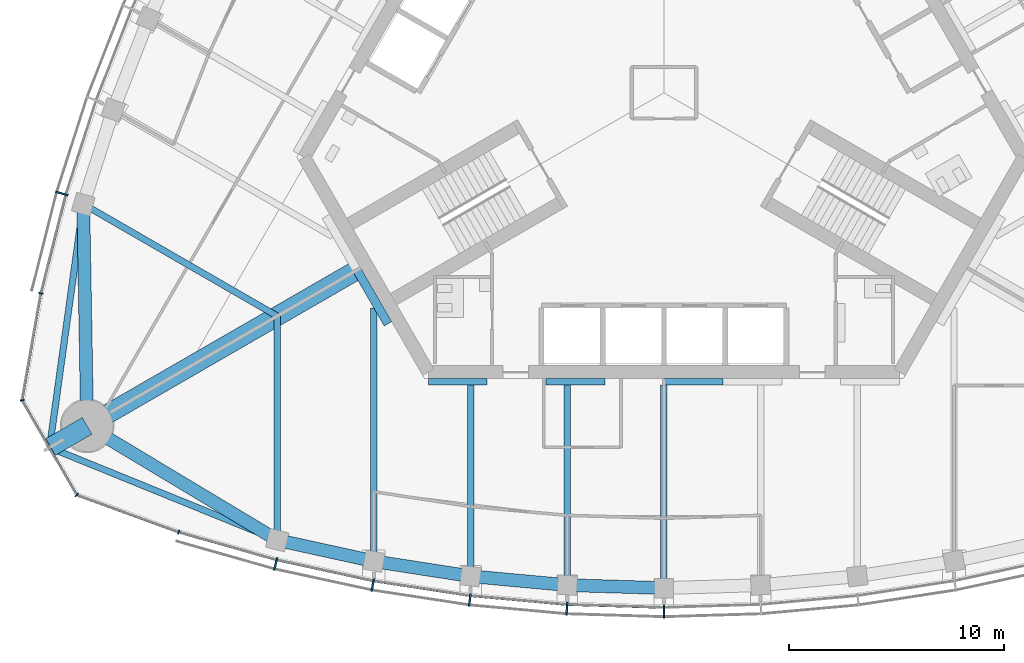
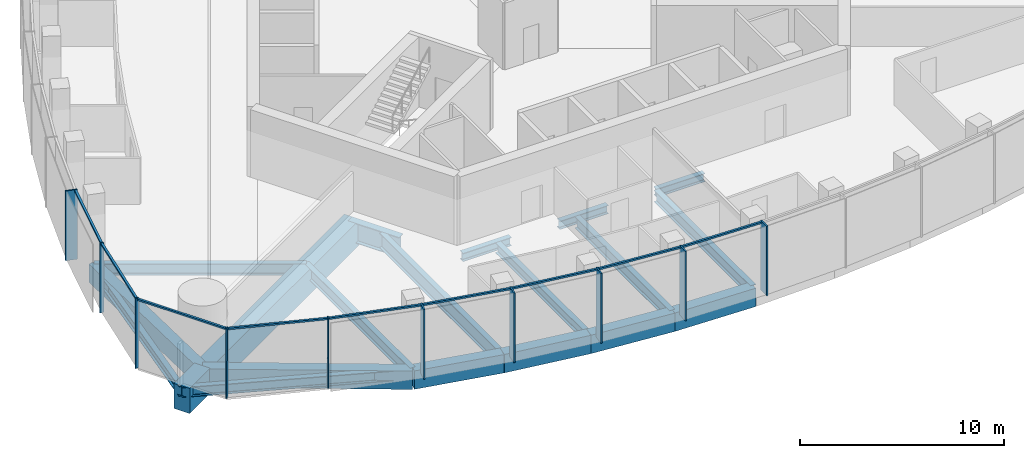
# One storey, part 2 of 16: 20 beams, 19 members, 3 elements without a shape of their own.
"""IFC4 building model written with IfcOpenShell, lengths in metres."""

from ifc_helpers import new_model, si_unit, direction, frame, origin, origin_2d, place, context, subcontext, project, spatial, rectangle, i_section, extrude, material, material_profile, profile_set, type_object, element, aggregate, save


model = new_model("IFC4")

# Units and contexts
model_context = context("Model", 3, precision=1e-05, world=origin(), true_north=direction((0.0, 1.0)))
body_context = subcontext(model_context, "Body", "Model", "MODEL_VIEW")
ifc_project = project(units=[si_unit("LENGTHUNIT", "METRE"), si_unit("AREAUNIT", "SQUARE_METRE"), si_unit("VOLUMEUNIT", "CUBIC_METRE"), si_unit("PLANEANGLEUNIT", "RADIAN"), si_unit("MASSUNIT", "GRAM", prefix="KILO")], contexts=[model_context])

# Site, building, storey
site_placement = place(None, origin())
site = spatial("IfcSite", under=ifc_project, at=site_placement, CompositionType="ELEMENT")
building_placement = place(site_placement, origin())
building = spatial("IfcBuilding", under=site, at=building_placement, Name="Trefoil Bronze Tower", CompositionType="ELEMENT")
storey_placement = place(building_placement, frame((0.0, 0.0, 309.89990234375)))
storey = spatial("IfcBuildingStorey", under=building, at=storey_placement, Name="L71", CompositionType="ELEMENT", Elevation=309.89990234375)

# Curtain wall, members
ifc_material_1 = material(Name="Tinted solar-control glass", Category="glass")
curtain_wall_type_1 = type_object("IfcCurtainWallType", Name="Bronze office curtain wall", PredefinedType="USERDEFINED", material=ifc_material_1)
curtain_wall_1_placement = place(storey_placement, origin())
curtain_wall_1 = element("IfcCurtainWall", 1, at=curtain_wall_1_placement, inside=storey, type_object=curtain_wall_type_1, Name="CW-A L71 F1", ObjectType="CURTAIN WALL", PredefinedType="USERDEFINED")
ifc_material_2 = material(Name="Bronze-finish aluminium", Category="aluminium")
ifc_material_profile_1 = material_profile(ifc_material_2, rectangle(XDim=0.60009765625, YDim=0.080078125, at=origin_2d()), Name="CW-A mullion")
ifc_profile_set_1 = profile_set([ifc_material_profile_1], Name="Bronze-finish aluminium")
member_type_1 = type_object("IfcMemberType", Name="Bronze office curtain wall mullion", PredefinedType="MULLION", material=ifc_profile_set_1)
member_1_placement = place(storey_placement, frame((-18.07275390625, -21.931884765625, 0.0), z_axis=(0.0, 0.0, 1.0), x_axis=(0.242394494031, 0.97017777199, 0.0)))
member_1 = element("IfcMember", 2, at=member_1_placement, type_object=member_type_1, Name="CW-A L71 F1 mullion 2", PredefinedType="MULLION", context=body_context, shape_type="SweptSolid", body=[
    extrude(rectangle(XDim=0.60009765625, YDim=0.080078125, at=origin_2d()), origin(), (0.0, 0.0, 1.0), 4.18017578125),
])
member_2_placement = place(storey_placement, frame((-13.554443359375, -22.911376953125, 0.0), z_axis=(0.0, 0.0, 1.0), x_axis=(0.181667218242, 0.983360067227, 0.0)))
member_2 = element("IfcMember", 3, at=member_2_placement, type_object=member_type_1, Name="CW-A L71 F1 mullion 3", PredefinedType="MULLION", context=body_context, shape_type="SweptSolid", body=[
    extrude(rectangle(XDim=0.60009765625, YDim=0.080078125, at=origin_2d()), origin(), (0.0, 0.0, 1.0), 4.18017578125),
])
member_3_placement = place(storey_placement, frame((-9.036376953125, -23.602783203125, 0.0), z_axis=(0.0, 0.0, 1.0), x_axis=(0.121109330868, 0.992639174109, 0.0)))
member_3 = element("IfcMember", 4, at=member_3_placement, type_object=member_type_1, Name="CW-A L71 F1 mullion 4", PredefinedType="MULLION", context=body_context, shape_type="SweptSolid", body=[
    extrude(rectangle(XDim=0.60009765625, YDim=0.080078125, at=origin_2d()), origin(), (0.0, 0.0, 1.0), 4.18017578125),
])
member_4_placement = place(storey_placement, frame((-4.51806640625, -24.014892578125, 0.0), z_axis=(0.0, 0.0, 1.0), x_axis=(0.060554040199, 0.998164920349, 0.0)))
member_4 = element("IfcMember", 5, at=member_4_placement, type_object=member_type_1, Name="CW-A L71 F1 mullion 5", PredefinedType="MULLION", context=body_context, shape_type="SweptSolid", body=[
    extrude(rectangle(XDim=0.60009765625, YDim=0.080078125, at=origin_2d()), origin(), (0.0, 0.0, 1.0), 4.18017578125),
])
member_5_placement = place(storey_placement, frame((0.0, -24.151611328125, 0.0), z_axis=(0.0, 0.0, 1.0), x_axis=(0.0, 1.0, 0.0)))
member_5 = element("IfcMember", 6, at=member_5_placement, type_object=member_type_1, Name="CW-A L71 F1 mullion 6", PredefinedType="MULLION", context=body_context, shape_type="SweptSolid", body=[
    extrude(rectangle(XDim=0.60009765625, YDim=0.080078125, at=origin_2d()), origin(), (0.0, 0.0, 1.0), 4.18017578125),
])

# Curtain wall, member
curtain_wall_2_placement = place(storey_placement, origin())
curtain_wall_2 = element("IfcCurtainWall", 7, at=curtain_wall_2_placement, inside=storey, type_object=curtain_wall_type_1, Name="CW-A L71 F3", ObjectType="CURTAIN WALL", PredefinedType="USERDEFINED")
member_6_placement = place(storey_placement, frame((-28.02978515625, -4.685546875, 0.0), z_axis=(0.0, 0.0, 1.0), x_axis=(0.961395843746, -0.275169096426, 0.0)))
member_6 = element("IfcMember", 8, at=member_6_placement, type_object=member_type_1, Name="CW-A L71 F3 mullion 10", PredefinedType="MULLION", context=body_context, shape_type="SweptSolid", body=[
    extrude(rectangle(XDim=0.60009765625, YDim=0.080078125, at=origin_2d()), origin(), (0.0, 0.0, 1.0), 4.18017578125),
])

# Member
ifc_material_3 = material(Name="Bronze-finish aluminium", Category="aluminium")
ifc_material_profile_2 = material_profile(ifc_material_3, rectangle(XDim=0.1201171875, YDim=0.10009765625, at=origin_2d()), Name="CW-A transom")
ifc_profile_set_2 = profile_set([ifc_material_profile_2], Name="Bronze-finish aluminium")
member_type_2 = type_object("IfcMemberType", Name="Bronze office curtain wall transom", PredefinedType="USERDEFINED", material=ifc_profile_set_2)
member_7_placement = place(storey_placement, frame((-22.537109375, -20.458740234375, 4.130126953125), z_axis=(0.962102611578, -0.272687668944, 0.0), x_axis=(0.272687668944, 0.962102611578, 0.0)))
member_7 = element("IfcMember", 9, at=member_7_placement, type_object=member_type_2, Name="CW-A L71 F1 transom 1", ObjectType="TRANSOM", PredefinedType="USERDEFINED", context=body_context, shape_type="SweptSolid", body=[
    extrude(rectangle(XDim=0.1201171875, YDim=0.10009765625, at=origin_2d()), origin(), (0.0, 0.0, 1.0), 4.6474609375),
])

member_8_placement = place(storey_placement, frame((-17.982177734375, -21.7470703125, 4.130126953125), z_axis=(0.977303780028, -0.211842681117, 0.0), x_axis=(0.211842681117, 0.977303780028, 0.0)))
member_8 = element("IfcMember", 10, at=member_8_placement, type_object=member_type_2, Name="CW-A L71 F1 transom 2", ObjectType="TRANSOM", PredefinedType="USERDEFINED", context=body_context, shape_type="SweptSolid", body=[
    extrude(rectangle(XDim=0.1201171875, YDim=0.10009765625, at=origin_2d()), origin(), (0.0, 0.0, 1.0), 4.524658203125),
])

member_9_placement = place(storey_placement, frame((-13.4755859375, -22.72119140625, 4.130126953125), z_axis=(0.988485016014, -0.151318779787, 0.0), x_axis=(0.151318779787, 0.988485016014, 0.0)))
member_9 = element("IfcMember", 11, at=member_9_placement, type_object=member_type_2, Name="CW-A L71 F1 transom 3", ObjectType="TRANSOM", PredefinedType="USERDEFINED", context=body_context, shape_type="SweptSolid", body=[
    extrude(rectangle(XDim=0.1201171875, YDim=0.10009765625, at=origin_2d()), origin(), (0.0, 0.0, 1.0), 4.472412109375),
])

member_10_placement = place(storey_placement, frame((-8.96923828125, -23.408203125, 4.130126953125), z_axis=(0.995868373079, -0.090808499059, 0.0), x_axis=(0.090808499059, 0.995868373079, 0.0)))
member_10 = element("IfcMember", 12, at=member_10_placement, type_object=member_type_2, Name="CW-A L71 F1 transom 4", ObjectType="TRANSOM", PredefinedType="USERDEFINED", context=body_context, shape_type="SweptSolid", body=[
    extrude(rectangle(XDim=0.1201171875, YDim=0.10009765625, at=origin_2d()), origin(), (0.0, 0.0, 1.0), 4.438720703125),
])

member_11_placement = place(storey_placement, frame((-4.463134765625, -23.81640625, 4.130126953125), z_axis=(0.99954057115, -0.030309183848, 0.0), x_axis=(0.030309183848, 0.99954057115, 0.0)))
member_11 = element("IfcMember", 13, at=member_11_placement, type_object=member_type_2, Name="CW-A L71 F1 transom 5", ObjectType="TRANSOM", PredefinedType="USERDEFINED", context=body_context, shape_type="SweptSolid", body=[
    extrude(rectangle(XDim=0.1201171875, YDim=0.10009765625, at=origin_2d()), origin(), (0.0, 0.0, 1.0), 4.422119140625),
])

aggregate(curtain_wall_1, [member_1, member_2, member_3, member_4, member_5, member_7, member_8, member_9, member_10, member_11])

member_12_placement = place(storey_placement, frame((-27.84814453125, -4.782470703125, 4.130126953125), z_axis=(-0.244908148095, -0.969546285123, 0.0), x_axis=(0.969546285123, -0.244908148095, 0.0)))
member_12 = element("IfcMember", 14, at=member_12_placement, type_object=member_type_2, Name="CW-A L71 F3 transom 10", ObjectType="TRANSOM", PredefinedType="USERDEFINED", context=body_context, shape_type="SweptSolid", body=[
    extrude(rectangle(XDim=0.1201171875, YDim=0.10009765625, at=origin_2d()), origin(), (0.0, 0.0, 1.0), 4.6474609375),
])

aggregate(curtain_wall_2, [member_6, member_12])

# Curtain wall, members
ifc_material_4 = material(Name="Tinted solar-control glass", Category="glass")
curtain_wall_type_2 = type_object("IfcCurtainWallType", Name="Bronze rounded corner curtain wall", PredefinedType="USERDEFINED", material=ifc_material_4)
curtain_wall_3_placement = place(storey_placement, origin())
curtain_wall_3 = element("IfcCurtainWall", 15, at=curtain_wall_3_placement, inside=storey, type_object=curtain_wall_type_2, Name="CW-B L71 K3", ObjectType="CURTAIN WALL", PredefinedType="USERDEFINED")
ifc_material_5 = material(Name="Bronze-finish aluminium", Category="aluminium")
ifc_material_profile_3 = material_profile(ifc_material_5, rectangle(XDim=0.199951171875, YDim=0.06005859375, at=origin_2d()), Name="CW-B mullion")
ifc_profile_set_3 = profile_set([ifc_material_profile_3], Name="Bronze-finish aluminium")
member_type_3 = type_object("IfcMemberType", Name="Bronze rounded corner curtain wall mullion", PredefinedType="MULLION", material=ifc_profile_set_3)
member_13_placement = place(storey_placement, frame((-28.99755859375, -9.334228515625, 0.0), z_axis=(0.0, 0.0, 1.0), x_axis=(0.984807753012, -0.173648177667, 0.0)))
member_13 = element("IfcMember", 16, at=member_13_placement, type_object=member_type_3, Name="CW-B L71 K3 mullion 1", PredefinedType="MULLION", context=body_context, shape_type="SweptSolid", body=[
    extrude(rectangle(XDim=0.199951171875, YDim=0.06005859375, at=origin_2d()), origin(), (0.0, 0.0, 1.0), 4.18017578125),
])
member_14_placement = place(storey_placement, frame((-29.86865234375, -14.30908203125, 0.0), z_axis=(0.0, 0.0, 1.0), x_axis=(0.984807753012, 0.173648177667, 0.0)))
member_14 = element("IfcMember", 17, at=member_14_placement, type_object=member_type_3, Name="CW-B L71 K3 mullion 2", PredefinedType="MULLION", context=body_context, shape_type="SweptSolid", body=[
    extrude(rectangle(XDim=0.199951171875, YDim=0.06005859375, at=origin_2d()), origin(), (0.0, 0.0, 1.0), 4.18017578125),
])
member_15_placement = place(storey_placement, frame((-27.326416015625, -18.712646484375, 0.0), z_axis=(0.0, 0.0, 1.0), x_axis=(0.642787609687, 0.766044443119, 0.0)))
member_15 = element("IfcMember", 18, at=member_15_placement, type_object=member_type_3, Name="CW-B L71 K3 mullion 3", PredefinedType="MULLION", context=body_context, shape_type="SweptSolid", body=[
    extrude(rectangle(XDim=0.199951171875, YDim=0.06005859375, at=origin_2d()), origin(), (0.0, 0.0, 1.0), 4.18017578125),
])
member_16_placement = place(storey_placement, frame((-22.58251953125, -20.445556640625, 0.0), z_axis=(0.0, 0.0, 1.0), x_axis=(0.342020143326, 0.939692620786, 0.0)))
member_16 = element("IfcMember", 19, at=member_16_placement, type_object=member_type_3, Name="CW-B L71 K3 mullion 4", PredefinedType="MULLION", context=body_context, shape_type="SweptSolid", body=[
    extrude(rectangle(XDim=0.199951171875, YDim=0.06005859375, at=origin_2d()), origin(), (0.0, 0.0, 1.0), 4.18017578125),
])
ifc_material_6 = material(Name="Bronze-finish aluminium", Category="aluminium")
ifc_material_profile_4 = material_profile(ifc_material_6, rectangle(XDim=0.1201171875, YDim=0.10009765625, at=origin_2d()), Name="CW-B transom")
ifc_profile_set_4 = profile_set([ifc_material_profile_4], Name="Bronze-finish aluminium")
member_type_4 = type_object("IfcMemberType", Name="Bronze rounded corner curtain wall transom", PredefinedType="USERDEFINED", material=ifc_profile_set_4)
member_17_placement = place(storey_placement, frame((-29.0029296875, -9.36376953125, 4.130126953125), z_axis=(-0.173633591509, -0.984810324834, 0.0), x_axis=(0.984810324834, -0.173633591509, 0.0)))
member_17 = element("IfcMember", 20, at=member_17_placement, type_object=member_type_4, Name="CW-B L71 K3 transom 1", ObjectType="TRANSOM", PredefinedType="USERDEFINED", context=body_context, shape_type="SweptSolid", body=[
    extrude(rectangle(XDim=0.1201171875, YDim=0.10009765625, at=origin_2d()), origin(), (0.0, 0.0, 1.0), 4.956298828125),
])
member_18_placement = place(storey_placement, frame((-29.841796875, -14.36767578125, 4.130126953125), z_axis=(0.499985403706, -0.866033830794, 0.0), x_axis=(0.866033830794, 0.499985403706, 0.0)))
member_18 = element("IfcMember", 21, at=member_18_placement, type_object=member_type_4, Name="CW-B L71 K3 transom 2", ObjectType="TRANSOM", PredefinedType="USERDEFINED", context=body_context, shape_type="SweptSolid", body=[
    extrude(rectangle(XDim=0.1201171875, YDim=0.10009765625, at=origin_2d()), origin(), (0.0, 0.0, 1.0), 4.956298828125),
])
member_19_placement = place(storey_placement, frame((-27.26806640625, -18.740234375, 4.130126953125), z_axis=(0.93969990549, -0.342000128103, 0.0), x_axis=(0.342000128103, 0.93969990549, 0.0)))
member_19 = element("IfcMember", 22, at=member_19_placement, type_object=member_type_4, Name="CW-B L71 K3 transom 3", ObjectType="TRANSOM", PredefinedType="USERDEFINED", context=body_context, shape_type="SweptSolid", body=[
    extrude(rectangle(XDim=0.1201171875, YDim=0.10009765625, at=origin_2d()), origin(), (0.0, 0.0, 1.0), 4.956298828125),
])
aggregate(curtain_wall_3, [member_13, member_14, member_15, member_16, member_17, member_18, member_19])

# Beams
ifc_material_7 = material(Name="Steel C355", Category="steel")
ifc_material_profile_5 = material_profile(ifc_material_7, i_section(OverallWidth=0.300048828125, OverallDepth=0.5, WebThickness=0.014404296875, FlangeThickness=0.028076171875, FilletRadius=0.027099609375, at=origin_2d()), Name="HEB 500")
ifc_profile_set_5 = profile_set([ifc_material_profile_5], Name="Steel C355")
beam_type_1 = type_object("IfcBeamType", Name="Core seat beam HEB 500", PredefinedType="BEAM", material=ifc_profile_set_5)
for number, where, z_axis, x_axis, name in (
    (23, (-10.9697265625, -13.449951171875, -0.449951171875), (1.0, 0.0, 0.0), (0.0, 1.0, 0.0), "Core seat beam F1/-2 L71"),
    (24, (-5.48486328125, -13.449951171875, -0.449951171875), (1.0, 0.0, 0.0), (0.0, 1.0, 0.0), "Core seat beam F1/-1 L71"),
    (25, (0.0, -13.449951171875, -0.449951171875), (1.0, 0.0, 0.0), (0.0, 1.0, 0.0), "Core seat beam F1/+0 L71"),
):
    element("IfcBeam", number, at=place(storey_placement, frame(where, z_axis=z_axis, x_axis=x_axis)), inside=storey, type_object=beam_type_1, Name=name, PredefinedType="BEAM", context=body_context, shape_type="SweptSolid", body=[
        extrude(i_section(OverallWidth=0.300048828125, OverallDepth=0.5, WebThickness=0.014404296875, FlangeThickness=0.028076171875, FilletRadius=0.027099609375, at=origin_2d()), origin(), (0.0, 0.0, 1.0), 2.742431640625),
    ])
ifc_material_8 = material(Name="Steel C355", Category="steel")
ifc_material_profile_6 = material_profile(ifc_material_8, i_section(OverallWidth=0.39990234375, OverallDepth=1.199951171875, WebThickness=0.02001953125, FlangeThickness=0.0400390625, FilletRadius=0.010009765625, at=origin_2d()), Name="WPG 1200")
ifc_profile_set_6 = profile_set([ifc_material_profile_6], Name="Steel C355")
beam_type_2 = type_object("IfcBeamType", Name="Core seat beam WPG 1200", PredefinedType="BEAM", material=ifc_profile_set_6)
beam_1_placement = place(storey_placement, frame((-14.289306640625, -8.25, -0.7998046875), z_axis=(0.499995765644, -0.866027848477, 0.0), x_axis=(0.866027848477, 0.499995765644, 0.0)))
element("IfcBeam", 26, at=beam_1_placement, inside=storey, type_object=beam_type_2, Name="Core seat beam F1/-3 L71", PredefinedType="BEAM", context=body_context, shape_type="SweptSolid", body=[
    extrude(i_section(OverallWidth=0.39990234375, OverallDepth=1.199951171875, WebThickness=0.02001953125, FlangeThickness=0.0400390625, FilletRadius=0.010009765625, at=origin_2d()), origin(), (0.0, 0.0, 1.0), 2.88671875),
])
ifc_material_9 = material(Name="Concrete B80", Category="concrete")
ifc_material_profile_7 = material_profile(ifc_material_9, rectangle(XDim=0.89990234375, YDim=1.5, at=origin_2d()), Name="RC 900x1500")
ifc_profile_set_7 = profile_set([ifc_material_profile_7], Name="Concrete B80")
beam_type_3 = type_object("IfcBeamType", Name="Corner cantilever RC 900x1500", PredefinedType="BEAM", material=ifc_profile_set_7)
beam_2_placement = place(storey_placement, frame((-26.8466796875, -15.5, -0.949951171875), z_axis=(-0.866010470582, -0.500025864173, 0.0), x_axis=(0.500025864173, -0.866010470582, 0.0)))
element("IfcBeam", 27, at=beam_2_placement, inside=storey, type_object=beam_type_3, Name="Corner cantilever K3 L71", PredefinedType="BEAM", context=body_context, shape_type="SweptSolid", body=[
    extrude(rectangle(XDim=0.89990234375, YDim=1.5, at=origin_2d()), origin(), (0.0, 0.0, 1.0), 2.02001953125),
])
ifc_material_10 = material(Name="Steel C355", Category="steel")
ifc_material_profile_8 = material_profile(ifc_material_10, i_section(OverallWidth=0.300048828125, OverallDepth=0.60009765625, WebThickness=0.015380859375, FlangeThickness=0.030029296875, FilletRadius=0.027099609375, at=origin_2d()), Name="HEB 600")
ifc_profile_set_8 = profile_set([ifc_material_profile_8], Name="Steel C355")
beam_type_4 = type_object("IfcBeamType", Name="Corner edge beam HEB 600", PredefinedType="BEAM", material=ifc_profile_set_8)
beam_3_placement = place(storey_placement, frame((-18.0, -20.816162109375, -0.5), z_axis=(-0.926419351914, 0.376493272714, 0.0), x_axis=(-0.376493272714, -0.926419351914, 0.0)))
element("IfcBeam", 28, at=beam_3_placement, inside=storey, type_object=beam_type_4, Name="Corner edge beam F1B L71", PredefinedType="BEAM", context=body_context, shape_type="SweptSolid", body=[
    extrude(i_section(OverallWidth=0.300048828125, OverallDepth=0.60009765625, WebThickness=0.015380859375, FlangeThickness=0.030029296875, FilletRadius=0.027099609375, at=origin_2d()), origin(), (0.0, 0.0, 1.0), 11.4375),
])
beam_4_placement = place(storey_placement, frame((-27.02734375, -5.180419921875, -0.5), z_axis=(-0.137143714313, -0.990551160529, 0.0), x_axis=(0.990551160529, -0.137143714313, 0.0)))
element("IfcBeam", 29, at=beam_4_placement, inside=storey, type_object=beam_type_4, Name="Corner edge beam F3A L71", PredefinedType="BEAM", context=body_context, shape_type="SweptSolid", body=[
    extrude(i_section(OverallWidth=0.300048828125, OverallDepth=0.60009765625, WebThickness=0.015380859375, FlangeThickness=0.030029296875, FilletRadius=0.027099609375, at=origin_2d()), origin(), (0.0, 0.0, 1.0), 11.437744140625),
])
ifc_material_11 = material(Name="Concrete B80", Category="concrete")
ifc_material_profile_9 = material_profile(ifc_material_11, rectangle(XDim=0.89990234375, YDim=1.5, at=origin_2d()), Name="RC 900x1500")
ifc_profile_set_9 = profile_set([ifc_material_profile_9], Name="Concrete B80")
beam_type_5 = type_object("IfcBeamType", Name="Corner girder RC 900x1500", PredefinedType="BEAM", material=ifc_profile_set_9)
beam_5_placement = place(storey_placement, frame((-14.1162109375, -8.14990234375, -0.949951171875), z_axis=(-0.86602074674, -0.500008066151, 0.0), x_axis=(0.500008066151, -0.86602074674, 0.0)))
element("IfcBeam", 30, at=beam_5_placement, inside=storey, type_object=beam_type_5, Name="Corner girder K3 L71", PredefinedType="BEAM", context=body_context, shape_type="SweptSolid", body=[
    extrude(rectangle(XDim=0.89990234375, YDim=1.5, at=origin_2d()), origin(), (0.0, 0.0, 1.0), 14.699951171875),
])
ifc_material_12 = material(Name="Concrete B80", Category="concrete")
ifc_material_profile_10 = material_profile(ifc_material_12, rectangle(XDim=0.60009765625, YDim=1.10009765625, at=origin_2d()), Name="RC 600x1100")
ifc_profile_set_10 = profile_set([ifc_material_profile_10], Name="Concrete B80")
beam_type_6 = type_object("IfcBeamType", Name="End spandrel beam RC 600x1100", PredefinedType="SPANDREL", material=ifc_profile_set_10)
for number, where, z_axis, x_axis, name in (
    (31, (-26.8466796875, -15.5, -0.75), (0.857144173035, -0.515076563855, 0.0), (0.515076563855, 0.857144173035, 0.0), "Spandrel F1.1 L71"),
    (32, (-27.02734375, -5.180419921875, -0.75), (0.017504237714, -0.999846789094, 0.0), (0.999846789094, 0.017504237714, 0.0), "Spandrel F3.10 L71"),
):
    element("IfcBeam", number, at=place(storey_placement, frame(where, z_axis=z_axis, x_axis=x_axis)), inside=storey, type_object=beam_type_6, Name=name, PredefinedType="SPANDREL", context=body_context, shape_type="SweptSolid", body=[
        extrude(rectangle(XDim=0.60009765625, YDim=1.10009765625, at=origin_2d()), origin(), (0.0, 0.0, 1.0), 10.321044921875),
    ])
ifc_material_13 = material(Name="Steel C355", Category="steel")
ifc_material_profile_11 = material_profile(ifc_material_13, i_section(OverallWidth=0.300048828125, OverallDepth=0.60009765625, WebThickness=0.015380859375, FlangeThickness=0.030029296875, FilletRadius=0.027099609375, at=origin_2d()), Name="HEB 600")
ifc_profile_set_11 = profile_set([ifc_material_profile_11], Name="Steel C355")
beam_type_7 = type_object("IfcBeamType", Name="Floor beam HEB 600", PredefinedType="BEAM", material=ifc_profile_set_11)
beam_6_placement = place(storey_placement, frame((-9.0, -22.499267578125, -0.5), z_axis=(0.0, 1.0, 0.0), x_axis=(-1.0, 0.0, 0.0)))
element("IfcBeam", 33, at=beam_6_placement, inside=storey, type_object=beam_type_7, Name="Floor beam F1/-2 L71", PredefinedType="BEAM", context=body_context, shape_type="SweptSolid", body=[
    extrude(i_section(OverallWidth=0.300048828125, OverallDepth=0.60009765625, WebThickness=0.015380859375, FlangeThickness=0.030029296875, FilletRadius=0.027099609375, at=origin_2d()), origin(), (0.0, 0.0, 1.0), 8.899169921875),
])
ifc_material_14 = material(Name="Steel C355", Category="steel")
ifc_material_profile_12 = material_profile(ifc_material_14, i_section(OverallWidth=0.300048828125, OverallDepth=0.699951171875, WebThickness=0.01708984375, FlangeThickness=0.031982421875, FilletRadius=0.027099609375, at=origin_2d()), Name="HEB 700")
ifc_profile_set_12 = profile_set([ifc_material_profile_12], Name="Steel C355")
beam_type_8 = type_object("IfcBeamType", Name="Floor beam HEB 700", PredefinedType="BEAM", material=ifc_profile_set_12)
beam_7_placement = place(storey_placement, frame((-18.0, -20.816162109375, -0.5498046875), z_axis=(0.0, 1.0, 0.0), x_axis=(-1.0, 0.0, 0.0)))
element("IfcBeam", 34, at=beam_7_placement, inside=storey, type_object=beam_type_8, Name="Floor beam F1/-4 L71", PredefinedType="BEAM", context=body_context, shape_type="SweptSolid", body=[
    extrude(i_section(OverallWidth=0.300048828125, OverallDepth=0.699951171875, WebThickness=0.01708984375, FlangeThickness=0.031982421875, FilletRadius=0.027099609375, at=origin_2d()), origin(), (0.0, 0.0, 1.0), 10.423828125),
])
beam_8_placement = place(storey_placement, frame((-4.5, -22.913818359375, -0.5498046875), z_axis=(0.0, 1.0, 0.0), x_axis=(-1.0, 0.0, 0.0)))
element("IfcBeam", 35, at=beam_8_placement, inside=storey, type_object=beam_type_8, Name="Floor beam F1/-1 L71", PredefinedType="BEAM", context=body_context, shape_type="SweptSolid", body=[
    extrude(i_section(OverallWidth=0.300048828125, OverallDepth=0.699951171875, WebThickness=0.01708984375, FlangeThickness=0.031982421875, FilletRadius=0.027099609375, at=origin_2d()), origin(), (0.0, 0.0, 1.0), 9.313720703125),
])
beam_9_placement = place(storey_placement, frame((0.0, -23.051513671875, -0.5498046875), z_axis=(0.0, 1.0, 0.0), x_axis=(-1.0, 0.0, 0.0)))
element("IfcBeam", 36, at=beam_9_placement, inside=storey, type_object=beam_type_8, Name="Floor beam F1/+0 L71", PredefinedType="BEAM", context=body_context, shape_type="SweptSolid", body=[
    extrude(i_section(OverallWidth=0.300048828125, OverallDepth=0.699951171875, WebThickness=0.01708984375, FlangeThickness=0.031982421875, FilletRadius=0.027099609375, at=origin_2d()), origin(), (0.0, 0.0, 1.0), 9.451416015625),
])
beam_10_placement = place(storey_placement, frame((-27.02734375, -5.180419921875, -0.5498046875), z_axis=(0.866026453994, -0.499998180979, 0.0), x_axis=(0.499998180979, 0.866026453994, 0.0)))
element("IfcBeam", 37, at=beam_10_placement, inside=storey, type_object=beam_type_8, Name="Floor beam F3/+4 L71", PredefinedType="BEAM", context=body_context, shape_type="SweptSolid", body=[
    extrude(i_section(OverallWidth=0.300048828125, OverallDepth=0.699951171875, WebThickness=0.01708984375, FlangeThickness=0.031982421875, FilletRadius=0.027099609375, at=origin_2d()), origin(), (0.0, 0.0, 1.0), 10.423828125),
])
ifc_material_15 = material(Name="Steel C355", Category="steel")
ifc_material_profile_13 = material_profile(ifc_material_15, i_section(OverallWidth=0.300048828125, OverallDepth=0.89990234375, WebThickness=0.0185546875, FlangeThickness=0.034912109375, FilletRadius=0.030029296875, at=origin_2d()), Name="HEB 900")
ifc_profile_set_13 = profile_set([ifc_material_profile_13], Name="Steel C355")
beam_type_9 = type_object("IfcBeamType", Name="Floor beam HEB 900", PredefinedType="BEAM", material=ifc_profile_set_13)
beam_11_placement = place(storey_placement, frame((-13.5, -21.802734375, -0.64990234375), z_axis=(0.0, 1.0, 0.0), x_axis=(-1.0, 0.0, 0.0)))
element("IfcBeam", 38, at=beam_11_placement, inside=storey, type_object=beam_type_9, Name="Floor beam F1/-3 L71", PredefinedType="BEAM", context=body_context, shape_type="SweptSolid", body=[
    extrude(i_section(OverallWidth=0.300048828125, OverallDepth=0.89990234375, WebThickness=0.0185546875, FlangeThickness=0.034912109375, FilletRadius=0.030029296875, at=origin_2d()), origin(), (0.0, 0.0, 1.0), 11.785400390625),
])
ifc_material_16 = material(Name="Concrete B80", Category="concrete")
ifc_material_profile_14 = material_profile(ifc_material_16, rectangle(XDim=0.60009765625, YDim=1.10009765625, at=origin_2d()), Name="RC 600x1100")
ifc_profile_set_14 = profile_set([ifc_material_profile_14], Name="Concrete B80")
beam_type_10 = type_object("IfcBeamType", Name="Spandrel beam RC 600x1100", PredefinedType="SPANDREL", material=ifc_profile_set_14)
beam_12_placement = place(storey_placement, frame((-18.0, -20.816162109375, -0.75), z_axis=(0.976800342355, -0.214152028182, 0.0), x_axis=(0.214152028182, 0.976800342355, 0.0)))
element("IfcBeam", 39, at=beam_12_placement, inside=storey, type_object=beam_type_10, Name="Spandrel F1.2 L71", PredefinedType="SPANDREL", context=body_context, shape_type="SweptSolid", body=[
    extrude(rectangle(XDim=0.60009765625, YDim=1.10009765625, at=origin_2d()), origin(), (0.0, 0.0, 1.0), 4.60693359375),
])
beam_13_placement = place(storey_placement, frame((-13.5, -21.802734375, -0.75), z_axis=(0.988231820946, -0.152963616816, 0.0), x_axis=(0.152963616816, 0.988231820946, 0.0)))
element("IfcBeam", 40, at=beam_13_placement, inside=storey, type_object=beam_type_10, Name="Spandrel F1.3 L71", PredefinedType="SPANDREL", context=body_context, shape_type="SweptSolid", body=[
    extrude(rectangle(XDim=0.60009765625, YDim=1.10009765625, at=origin_2d()), origin(), (0.0, 0.0, 1.0), 4.553466796875),
])
beam_14_placement = place(storey_placement, frame((-9.0, -22.499267578125, -0.75), z_axis=(0.995783550481, -0.091733966402, 0.0), x_axis=(0.091733966402, 0.995783550481, 0.0)))
element("IfcBeam", 41, at=beam_14_placement, inside=storey, type_object=beam_type_10, Name="Spandrel F1.4 L71", PredefinedType="SPANDREL", context=body_context, shape_type="SweptSolid", body=[
    extrude(rectangle(XDim=0.60009765625, YDim=1.10009765625, at=origin_2d()), origin(), (0.0, 0.0, 1.0), 4.51904296875),
])
beam_15_placement = place(storey_placement, frame((-4.5, -22.913818359375, -0.75), z_axis=(0.999532180362, -0.03058464354, 0.0), x_axis=(0.03058464354, 0.999532180362, 0.0)))
element("IfcBeam", 42, at=beam_15_placement, inside=storey, type_object=beam_type_10, Name="Spandrel F1.5 L71", PredefinedType="SPANDREL", context=body_context, shape_type="SweptSolid", body=[
    extrude(rectangle(XDim=0.60009765625, YDim=1.10009765625, at=origin_2d()), origin(), (0.0, 0.0, 1.0), 4.502197265625),
])

save(model, "model.ifc")
